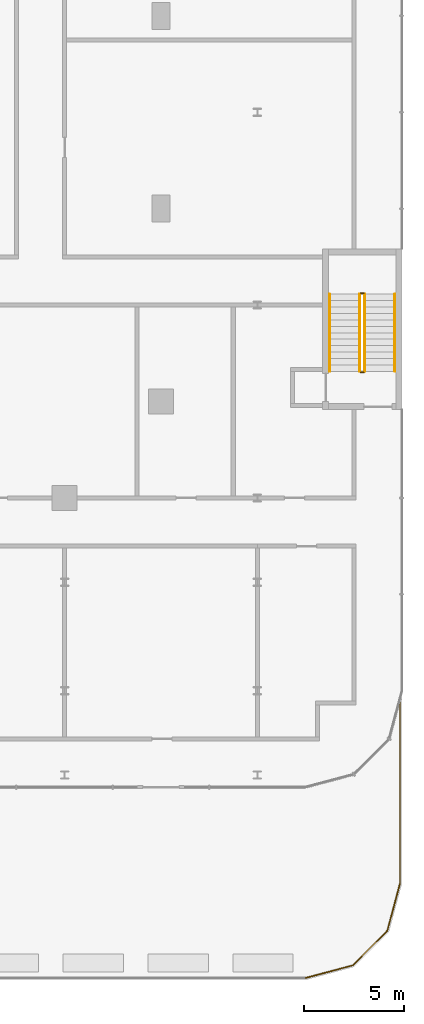
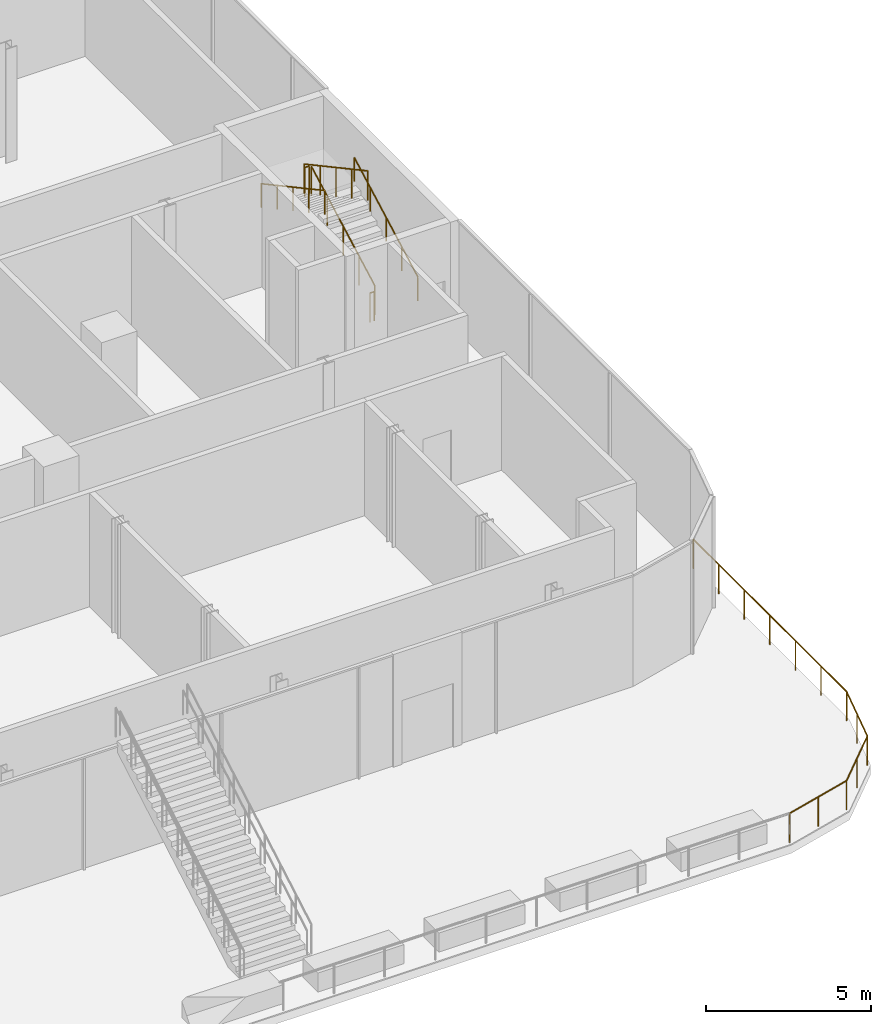
# One storey, part 36 of 38: 7 railings.
"""IFC4 building model written with IfcOpenShell, lengths in metres."""

from ifc_helpers import new_model, si_unit, direction, frame, origin, origin_2d, place, context, subcontext, project, spatial, circle, extrude, material, type_object, element, save


model = new_model("IFC4")

# Units and contexts
model_context = context("Model", 3, precision=1e-05, world=origin(), true_north=direction((0.0, 1.0)))
body_context = subcontext(model_context, "Body", "Model", "MODEL_VIEW")
ifc_project = project(units=[si_unit("LENGTHUNIT", "METRE"), si_unit("AREAUNIT", "SQUARE_METRE"), si_unit("VOLUMEUNIT", "CUBIC_METRE"), si_unit("PLANEANGLEUNIT", "RADIAN"), si_unit("MASSUNIT", "GRAM", prefix="KILO")], contexts=[model_context])

# Site, building, storey
site_placement = place(None, origin())
site = spatial("IfcSite", under=ifc_project, at=site_placement, CompositionType="ELEMENT")
building_placement = place(site_placement, origin())
building = spatial("IfcBuilding", under=site, at=building_placement, Name="Madar Terraces", CompositionType="ELEMENT")
storey_placement = place(building_placement, frame((0.0, 0.0, 15.0)))
storey = spatial("IfcBuildingStorey", under=building, at=storey_placement, Name="L03", CompositionType="ELEMENT", Elevation=15.0)

# Railings
ifc_material_1 = material(Name="Glass, safety glazing, with stainless steel posts", Category="steel")
railing_type_1 = type_object("IfcRailingType", Name="Balcony glass guard 1100", PredefinedType="GUARDRAIL", material=ifc_material_1)
railing_1_placement = place(storey_placement, frame((64.800048828125, -23.89990234375, 0.0400390625)))
element("IfcRailing", 1, at=railing_1_placement, inside=storey, type_object=railing_type_1, Name="Terrace guard", PredefinedType="GUARDRAIL", context=body_context, shape_type="SweptSolid", body=[
    extrude(circle(Radius=0.02392578125, at=origin_2d()), frame((0.0, 0.0, 1.076171875), z_axis=(0.965926101694, 0.258818017275, 0.0), x_axis=(-0.258818017275, 0.965926101694, 0.0)), (0.0, 0.0, 1.0), 2.432861328125),
    extrude(circle(Radius=0.02392578125, at=origin_2d()), frame((2.349853515625, 0.629638671875, 1.076171875), z_axis=(0.707156953733, 0.70705660508, 0.0), x_axis=(-0.70705660508, 0.707156953733, 0.0)), (0.0, 0.0, 1.0), 2.432861328125),
    extrude(circle(Radius=0.02392578125, at=origin_2d()), frame((4.0703125, 2.349853515625, 1.076171875), z_axis=(0.258792930722, 0.965932823238, 0.0), x_axis=(-0.965932823238, 0.258792930722, 0.0)), (0.0, 0.0, 1.0), 2.432861328125),
    extrude(circle(Radius=0.02392578125, at=origin_2d()), frame((4.699951171875, 4.699951171875, 1.076171875), z_axis=(0.0, 1.0, 0.0), x_axis=(-1.0, 0.0, 0.0)), (0.0, 0.0, 1.0), 9.26904296875),
    extrude(circle(Radius=0.02099609375, at=origin_2d()), origin(), (0.0, 0.0, 1.0), 1.052001953125),
    extrude(circle(Radius=0.02099609375, at=origin_2d()), frame((1.1748046875, 0.31494140625, 0.0)), (0.0, 0.0, 1.0), 1.052001953125),
    extrude(circle(Radius=0.02099609375, at=origin_2d()), frame((2.349853515625, 0.629638671875, 0.0)), (0.0, 0.0, 1.0), 1.052001953125),
    extrude(circle(Radius=0.02099609375, at=origin_2d()), frame((3.2099609375, 1.48974609375, 0.0)), (0.0, 0.0, 1.0), 1.052001953125),
    extrude(circle(Radius=0.02099609375, at=origin_2d()), frame((4.0703125, 2.349853515625, 0.0)), (0.0, 0.0, 1.0), 1.052001953125),
    extrude(circle(Radius=0.02099609375, at=origin_2d()), frame((4.38525390625, 3.52490234375, 0.0)), (0.0, 0.0, 1.0), 1.052001953125),
    extrude(circle(Radius=0.02099609375, at=origin_2d()), frame((4.699951171875, 4.699951171875, 0.0)), (0.0, 0.0, 1.0), 1.052001953125),
    extrude(circle(Radius=0.02099609375, at=origin_2d()), frame((4.699951171875, 6.244873046875, 0.0)), (0.0, 0.0, 1.0), 1.052001953125),
    extrude(circle(Radius=0.02099609375, at=origin_2d()), frame((4.699951171875, 7.78955078125, 0.0)), (0.0, 0.0, 1.0), 1.052001953125),
    extrude(circle(Radius=0.02099609375, at=origin_2d()), frame((4.699951171875, 9.33447265625, 0.0)), (0.0, 0.0, 1.0), 1.052001953125),
    extrude(circle(Radius=0.02099609375, at=origin_2d()), frame((4.699951171875, 10.87939453125, 0.0)), (0.0, 0.0, 1.0), 1.052001953125),
    extrude(circle(Radius=0.02099609375, at=origin_2d()), frame((4.699951171875, 12.424072265625, 0.0)), (0.0, 0.0, 1.0), 1.052001953125),
    extrude(circle(Radius=0.02099609375, at=origin_2d()), frame((4.699951171875, 13.968994140625, 0.0)), (0.0, 0.0, 1.0), 1.052001953125),
])
ifc_material_2 = material(Name="Stainless steel railing", Category="steel")
railing_type_2 = type_object("IfcRailingType", Name="Stair guard 1100", PredefinedType="GUARDRAIL", material=ifc_material_2)
railing_2_placement = place(storey_placement, frame((67.75, 6.300048828125, 0.173095703125)))
element("IfcRailing", 2, at=railing_2_placement, inside=storey, type_object=railing_type_2, Name="L03 PS3 stair guard 1", PredefinedType="GUARDRAIL", context=body_context, shape_type="SweptSolid", body=[
    extrude(circle(Radius=0.02392578125, at=origin_2d()), frame((0.0, 0.0, 1.076171875), z_axis=(0.0, 0.879580660541, 0.475749788862), x_axis=(-1.0, 0.0, 0.0)), (0.0, 0.0, 1.0), 4.365478515625),
    extrude(circle(Radius=0.02099609375, at=origin_2d()), origin(), (0.0, 0.0, 1.0), 1.052001953125),
    extrude(circle(Radius=0.02099609375, at=origin_2d()), frame((0.0, 0.9599609375, 0.519287109375)), (0.0, 0.0, 1.0), 1.052001953125),
    extrude(circle(Radius=0.02099609375, at=origin_2d()), frame((0.0, 1.919921875, 1.03857421875)), (0.0, 0.0, 1.0), 1.052001953125),
    extrude(circle(Radius=0.02099609375, at=origin_2d()), frame((0.0, 2.8798828125, 1.5576171875)), (0.0, 0.0, 1.0), 1.052001953125),
    extrude(circle(Radius=0.02099609375, at=origin_2d()), frame((0.0, 3.83984375, 2.076904296875)), (0.0, 0.0, 1.0), 1.052001953125),
])
railing_3_placement = place(storey_placement, frame((67.699951171875, 10.18994140625, 2.25)))
element("IfcRailing", 3, at=railing_3_placement, inside=storey, type_object=railing_type_2, Name="L03 PS3 stair guard 2", PredefinedType="GUARDRAIL", context=body_context, shape_type="SweptSolid", body=[
    extrude(circle(Radius=0.02392578125, at=origin_2d()), frame((0.0, 0.0, 1.076171875), z_axis=(-1.0, 0.0, 0.0), x_axis=(0.0, -1.0, 0.0)), (0.0, 0.0, 1.0), 0.14990234375),
    extrude(circle(Radius=0.02099609375, at=origin_2d()), origin(), (0.0, 0.0, 1.0), 1.052001953125),
    extrude(circle(Radius=0.02099609375, at=origin_2d()), frame((-0.14990234375, 0.0, 0.0)), (0.0, 0.0, 1.0), 1.052001953125),
])
railing_4_placement = place(storey_placement, frame((67.5, 10.139892578125, 2.423095703125)))
element("IfcRailing", 4, at=railing_4_placement, inside=storey, type_object=railing_type_2, Name="L03 PS3 stair guard 3", PredefinedType="GUARDRAIL", context=body_context, shape_type="SweptSolid", body=[
    extrude(circle(Radius=0.02392578125, at=origin_2d()), frame((0.0, 0.0, 1.076171875), z_axis=(0.0, -0.879580660541, 0.475749788862), x_axis=(1.0, 0.0, 0.0)), (0.0, 0.0, 1.0), 4.365478515625),
    extrude(circle(Radius=0.02099609375, at=origin_2d()), origin(), (0.0, 0.0, 1.0), 1.052001953125),
    extrude(circle(Radius=0.02099609375, at=origin_2d()), frame((0.0, -0.9599609375, 0.519287109375)), (0.0, 0.0, 1.0), 1.052001953125),
    extrude(circle(Radius=0.02099609375, at=origin_2d()), frame((0.0, -1.919921875, 1.03857421875)), (0.0, 0.0, 1.0), 1.052001953125),
    extrude(circle(Radius=0.02099609375, at=origin_2d()), frame((0.0, -2.8798828125, 1.5576171875)), (0.0, 0.0, 1.0), 1.052001953125),
    extrude(circle(Radius=0.02099609375, at=origin_2d()), frame((0.0, -3.83984375, 2.076904296875)), (0.0, 0.0, 1.0), 1.052001953125),
])
railing_5_placement = place(storey_placement, frame((67.699951171875, 6.25, 0.0)))
element("IfcRailing", 5, at=railing_5_placement, inside=storey, type_object=railing_type_2, Name="L03 PS3 stair guard 4", PredefinedType="GUARDRAIL", context=body_context, shape_type="SweptSolid", body=[
    extrude(circle(Radius=0.02392578125, at=origin_2d()), frame((0.0, 0.0, 1.076171875), z_axis=(-1.0, 0.0, 0.0), x_axis=(0.0, -1.0, 0.0)), (0.0, 0.0, 1.0), 0.14990234375),
    extrude(circle(Radius=0.02099609375, at=origin_2d()), origin(), (0.0, 0.0, 1.0), 1.052001953125),
    extrude(circle(Radius=0.02099609375, at=origin_2d()), frame((-0.14990234375, 0.0, 0.0)), (0.0, 0.0, 1.0), 1.052001953125),
])
ifc_material_3 = material(Name="Stainless steel railing", Category="steel")
railing_type_3 = type_object("IfcRailingType", Name="Stair handrail 900", PredefinedType="HANDRAIL", material=ifc_material_3)
railing_6_placement = place(storey_placement, frame((69.25, 6.300048828125, 0.173095703125)))
element("IfcRailing", 6, at=railing_6_placement, inside=storey, type_object=railing_type_3, Name="L03 PS3 stair handrail 1", PredefinedType="HANDRAIL", context=body_context, shape_type="SweptSolid", body=[
    extrude(circle(Radius=0.02392578125, at=origin_2d()), frame((0.0, 0.0, 0.8759765625), z_axis=(0.0, 0.879580660541, 0.475749788862), x_axis=(-1.0, 0.0, 0.0)), (0.0, 0.0, 1.0), 4.365478515625),
    extrude(circle(Radius=0.02099609375, at=origin_2d()), origin(), (0.0, 0.0, 1.0), 0.851806640625),
    extrude(circle(Radius=0.02099609375, at=origin_2d()), frame((0.0, 0.9599609375, 0.519287109375)), (0.0, 0.0, 1.0), 0.851806640625),
    extrude(circle(Radius=0.02099609375, at=origin_2d()), frame((0.0, 1.919921875, 1.03857421875)), (0.0, 0.0, 1.0), 0.851806640625),
    extrude(circle(Radius=0.02099609375, at=origin_2d()), frame((0.0, 2.8798828125, 1.5576171875)), (0.0, 0.0, 1.0), 0.851806640625),
    extrude(circle(Radius=0.02099609375, at=origin_2d()), frame((0.0, 3.83984375, 2.076904296875)), (0.0, 0.0, 1.0), 0.851806640625),
])
railing_7_placement = place(storey_placement, frame((66.0, 10.139892578125, 2.423095703125)))
element("IfcRailing", 7, at=railing_7_placement, inside=storey, type_object=railing_type_3, Name="L03 PS3 stair handrail 2", PredefinedType="HANDRAIL", context=body_context, shape_type="SweptSolid", body=[
    extrude(circle(Radius=0.02392578125, at=origin_2d()), frame((0.0, 0.0, 0.8759765625), z_axis=(0.0, -0.879580660541, 0.475749788862), x_axis=(1.0, 0.0, 0.0)), (0.0, 0.0, 1.0), 4.365478515625),
    extrude(circle(Radius=0.02099609375, at=origin_2d()), origin(), (0.0, 0.0, 1.0), 0.851806640625),
    extrude(circle(Radius=0.02099609375, at=origin_2d()), frame((0.0, -0.9599609375, 0.519287109375)), (0.0, 0.0, 1.0), 0.851806640625),
    extrude(circle(Radius=0.02099609375, at=origin_2d()), frame((0.0, -1.919921875, 1.03857421875)), (0.0, 0.0, 1.0), 0.851806640625),
    extrude(circle(Radius=0.02099609375, at=origin_2d()), frame((0.0, -2.8798828125, 1.5576171875)), (0.0, 0.0, 1.0), 0.851806640625),
    extrude(circle(Radius=0.02099609375, at=origin_2d()), frame((0.0, -3.83984375, 2.076904296875)), (0.0, 0.0, 1.0), 0.851806640625),
])

save(model, "model.ifc")
